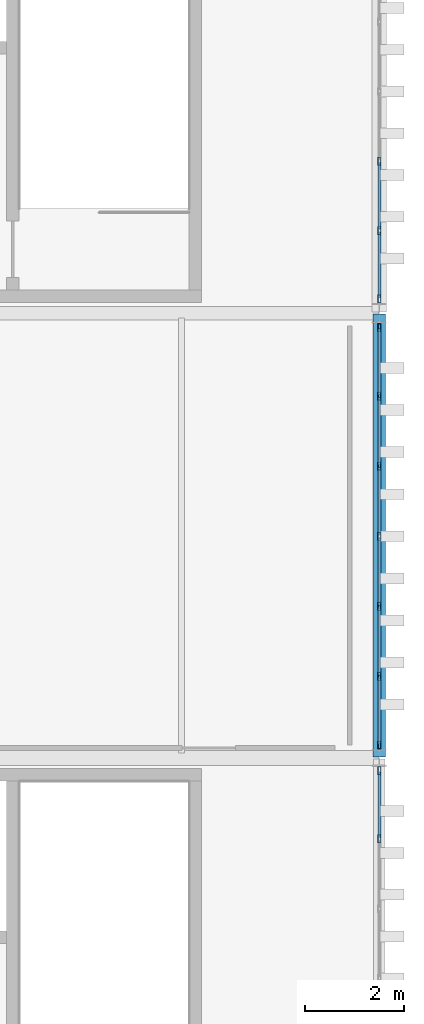
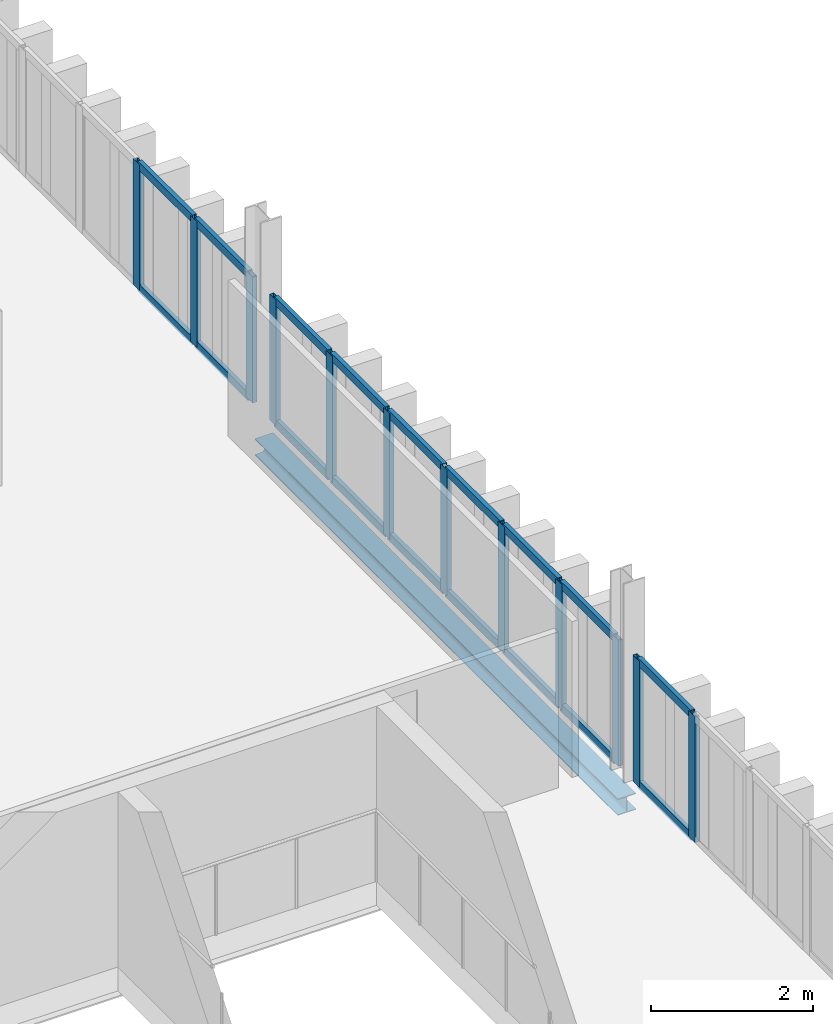
# One storey, part 44 of 58: 30 members, 1 beam, 3 elements without a shape of their own.
"""IFC4 building model written with IfcOpenShell, lengths in metres."""

import ifcopenshell
import ifcopenshell.guid

model = None  # the IFC model being written
_history = None  # IfcOwnerHistory: only IFC2X3 demands one
_inside = {}  # id of a spatial element -> (the spatial element, [elements in it])
_under = {}  # id of a project, library or spatial element -> (it, [spatial elements below it])
_declared = {}  # id of a project -> (the project, [libraries it declares])
_typed = {}  # id of a type object -> (the type object, [elements of that type])
_made_of = {}  # id of a material, layer set ... -> (it, [elements and type objects made of it])


def new_model(schema):
    """Start an empty IFC model of exactly this schema.

    Asked for "IFC4X3", IfcOpenShell would pick the latest addendum, in which some entities
    have other attributes; the version numbers below select the first issue.
    IFC2X3 requires an IfcOwnerHistory on every rooted entity: one is made here for all.
    """
    global model, _history
    if schema == "IFC4X3":
        model = ifcopenshell.file(schema_version=(4, 3, 0, 0))
    else:
        model = ifcopenshell.file(schema=schema)
    _inside.clear()
    _under.clear()
    _declared.clear()
    _typed.clear()
    _made_of.clear()
    _history = None
    if model.schema == "IFC2X3":
        org = make("IfcOrganization", Name="unknown")
        user = make(
            "IfcPersonAndOrganization",
            ThePerson=make("IfcPerson", FamilyName="unknown"),
            TheOrganization=org,
        )
        app = make(
            "IfcApplication",
            ApplicationDeveloper=org,
            Version="unknown",
            ApplicationFullName="unknown",
            ApplicationIdentifier="unknown",
        )
        _history = make(
            "IfcOwnerHistory",
            OwningUser=user,
            OwningApplication=app,
            ChangeAction="ADDED",
            CreationDate=0,
        )
    return model


def make(cls, **values):
    """One entity of the class cls with the attributes given. An attribute that is None is left unset."""
    return model.create_entity(
        cls, **{name: value for name, value in values.items() if value is not None}
    )


def rooted(cls, **values):
    """An entity with a GlobalId (a new one), such as an element, a storey or a relation."""
    return make(cls, GlobalId=ifcopenshell.guid.new(), OwnerHistory=_history, **values)


def si_unit(unit_type, name, prefix=None):
    """IfcSIUnit, for example si_unit("LENGTHUNIT", "METRE", prefix="MILLI")."""
    return make("IfcSIUnit", UnitType=unit_type, Prefix=prefix, Name=name)


def assignment(units):
    """IfcUnitAssignment: the units of a project."""
    return None if units is None else make("IfcUnitAssignment", Units=units)


def point(xyz):
    """IfcCartesianPoint."""
    return None if xyz is None else make("IfcCartesianPoint", Coordinates=xyz)


def direction(xyz):
    """IfcDirection."""
    return None if xyz is None else make("IfcDirection", DirectionRatios=xyz)


def frame(location, z_axis=None, x_axis=None):
    """IfcAxis2Placement3D, a coordinate frame: its origin and axes. An axis left out is left unset."""
    return make(
        "IfcAxis2Placement3D",
        Location=point(location),
        Axis=direction(z_axis),
        RefDirection=direction(x_axis),
    )


def frame_2d(location, x_axis=None):
    """IfcAxis2Placement2D, a coordinate frame in the plane: its origin and x axis."""
    return make(
        "IfcAxis2Placement2D", Location=point(location), RefDirection=direction(x_axis)
    )


def origin():
    """The frame at (0, 0, 0) with its axes left unset."""
    return frame((0.0, 0.0, 0.0))


def origin_2d():
    """The frame at (0, 0) in the plane with its x axis left unset."""
    return frame_2d((0.0, 0.0))


def place(relative_to, where):
    """IfcLocalPlacement: puts the frame where relative to a parent placement (None: the world)."""
    return make(
        "IfcLocalPlacement", PlacementRelTo=relative_to, RelativePlacement=where
    )


def context(
    kind, dimensions, precision=None, world=None, true_north=None, identifier=None
):
    """IfcGeometricRepresentationContext, for example the 3D "Model" context."""
    return make(
        "IfcGeometricRepresentationContext",
        ContextIdentifier=identifier,
        ContextType=kind,
        CoordinateSpaceDimension=dimensions,
        Precision=precision,
        WorldCoordinateSystem=world,
        TrueNorth=true_north,
    )


def subcontext(parent, identifier, kind, view, scale=None):
    """IfcGeometricRepresentationSubContext, for example "Body" below "Model"."""
    return make(
        "IfcGeometricRepresentationSubContext",
        ContextIdentifier=identifier,
        ContextType=kind,
        ParentContext=parent,
        TargetScale=scale,
        TargetView=view,
    )


def project(units=None, contexts=None):
    """IfcProject with its units and contexts."""
    return rooted(
        "IfcProject",
        Name="project",
        RepresentationContexts=contexts,
        UnitsInContext=assignment(units),
    )


def spatial(cls, under=None, at=None, **own):
    """A site, building, storey or space (cls), placed at a placement, below another one or the project."""
    s = rooted(cls, ObjectPlacement=at, **own)
    if under is not None:
        _under.setdefault(under.id(), (under, []))[1].append(s)
    return s


def profile(cls, at=None, kind="AREA", **sizes):
    """A parametric profile (cls). Its sizes go by their IFC names, for example OverallWidth=200.0."""
    return make(cls, ProfileType=kind, Position=at, **sizes)


def hollow_rectangle(**sizes):
    """IfcRectangleHollowProfileDef."""
    return profile("IfcRectangleHollowProfileDef", **sizes)


def i_section(**sizes):
    """IfcIShapeProfileDef."""
    return profile("IfcIShapeProfileDef", **sizes)


def extrude(swept, where, along, depth):
    """IfcExtrudedAreaSolid: the profile swept, set in the frame where, extruded along a direction by depth."""
    return make(
        "IfcExtrudedAreaSolid",
        SweptArea=swept,
        Position=where,
        ExtrudedDirection=direction(along),
        Depth=depth,
    )


def shape(context_of_items, identifier, shape_type, items):
    """IfcShapeRepresentation: the items that make up one representation, for example the "Body"."""
    return make(
        "IfcShapeRepresentation",
        ContextOfItems=context_of_items,
        RepresentationIdentifier=identifier,
        RepresentationType=shape_type,
        Items=items,
    )


def material(Name=None, Category=None):
    """IfcMaterial."""
    return make("IfcMaterial", Name=Name, Category=Category)


def layer(
    of_material, thickness, ventilated=None, Name=None, Category=None, Priority=None
):
    """IfcMaterialLayer: one layer of a wall or slab, of a material (None: an air gap)."""
    return make(
        "IfcMaterialLayer",
        Material=of_material,
        LayerThickness=thickness,
        IsVentilated=ventilated,
        Name=Name,
        Category=Category,
        Priority=Priority,
    )


def layer_set(layers, Name=None):
    """IfcMaterialLayerSet."""
    return make("IfcMaterialLayerSet", MaterialLayers=layers, LayerSetName=Name)


def material_profile(
    of_material, cross_section, Name=None, Category=None, Priority=None
):
    """IfcMaterialProfile: a cross section and its material."""
    return make(
        "IfcMaterialProfile",
        Name=Name,
        Material=of_material,
        Profile=cross_section,
        Priority=Priority,
        Category=Category,
    )


def profile_set(profiles, Name=None, composite=None):
    """IfcMaterialProfileSet."""
    return make(
        "IfcMaterialProfileSet",
        Name=Name,
        MaterialProfiles=profiles,
        CompositeProfile=composite,
    )


def made_of(thing, what):
    """Note that an element or type object is made of a material, layer set ...; save() writes the relation."""
    if what is not None:
        _made_of.setdefault(what.id(), (what, []))[1].append(thing)
    return thing


def type_object(cls, material=None, **own):
    """A type object (cls), such as IfcWallType, which elements share."""
    return made_of(rooted(cls, **own), material)


def element(
    cls,
    number,
    at=None,
    inside=None,
    cuts=None,
    type_object=None,
    material=None,
    context=None,
    identifier="Body",
    shape_type=None,
    held_by="IfcProductDefinitionShape",
    body=None,
    shapes=None,
    **own,
):
    """One element of the class cls, such as IfcWall. Its Tag is "e" and its number.

    at: its placement. inside: the storey or other place that contains it. cuts: it is an
    opening in that element (IfcRelVoidsElement). A single representation is given by context,
    identifier, shape_type and body (its items); several are given by shapes. held_by: the class
    of the entity that holds the representations. save() writes the other relations.
    """
    e = rooted(cls, Tag="e%d" % number, ObjectPlacement=at, **own)
    if body is not None:
        shapes = [shape(context, identifier, shape_type, body)]
    if shapes is not None:
        e.Representation = make(held_by, Representations=shapes)
    if inside is not None:
        _inside.setdefault(inside.id(), (inside, []))[1].append(e)
    if cuts is not None:
        rooted(
            "IfcRelVoidsElement", RelatingBuildingElement=cuts, RelatedOpeningElement=e
        )
    if type_object is not None:
        _typed.setdefault(type_object.id(), (type_object, []))[1].append(e)
    return made_of(e, material)


def aggregate(whole, parts):
    """IfcRelAggregates: a whole, such as a stair, and the parts it consists of."""
    return rooted("IfcRelAggregates", RelatingObject=whole, RelatedObjects=parts)


def save(model, path):
    """Write the relations noted so far, then the file.

    IfcRelAggregates (storeys below a building ...), IfcRelContainedInSpatialStructure (elements
    in a storey), IfcRelDefinesByType, IfcRelAssociatesMaterial and IfcRelDeclares: one each for
    every whole, place, type object, material and project.
    """
    for whole, parts in _under.values():
        aggregate(whole, parts)
    for where, things in _inside.values():
        rooted(
            "IfcRelContainedInSpatialStructure",
            RelatedElements=things,
            RelatingStructure=where,
        )
    for kind, things in _typed.values():
        rooted("IfcRelDefinesByType", RelatedObjects=things, RelatingType=kind)
    for what, things in _made_of.values():
        rooted("IfcRelAssociatesMaterial", RelatedObjects=things, RelatingMaterial=what)
    for by, libraries in _declared.values():
        rooted("IfcRelDeclares", RelatingContext=by, RelatedDefinitions=libraries)
    model.write(path)


model = new_model("IFC4")

# Units and contexts
model_context = context("Model", 3, precision=1e-05, world=origin(), true_north=direction((0.0, 1.0)))
body_context = subcontext(model_context, "Body", "Model", "MODEL_VIEW")
ifc_project = project(units=[si_unit("LENGTHUNIT", "METRE"), si_unit("AREAUNIT", "SQUARE_METRE"), si_unit("VOLUMEUNIT", "CUBIC_METRE"), si_unit("PLANEANGLEUNIT", "RADIAN"), si_unit("MASSUNIT", "GRAM", prefix="KILO")], contexts=[model_context])

# Site, building, storey
site_placement = place(None, origin())
site = spatial("IfcSite", under=ifc_project, at=site_placement, CompositionType="ELEMENT")
building_placement = place(site_placement, origin())
building = spatial("IfcBuilding", under=site, at=building_placement, Name="Barlavento Convention Centre", CompositionType="ELEMENT")
storey_placement = place(building_placement, frame((0.0, 0.0, 26.800048828125)))
storey = spatial("IfcBuildingStorey", under=building, at=storey_placement, Name="L05", CompositionType="ELEMENT", Elevation=26.800048828125)

# Curtain wall, members
ifc_material_1 = material(Name="Powder-coated aluminium and Low-E glass", Category="aluminium")
ifc_layer = layer(ifc_material_1, 0.18994140625)
ifc_layer_set = layer_set([ifc_layer], Name="ARC-CW-CONF-L05")
curtain_wall_type = type_object("IfcCurtainWallType", Name="ARC-CW-CONF-L05", PredefinedType="NOTDEFINED", material=ifc_layer_set)
curtain_wall_1_placement = place(storey_placement, origin())
curtain_wall_1 = element("IfcCurtainWall", 1, at=curtain_wall_1_placement, inside=storey, type_object=curtain_wall_type, Name="L05 unitised curtain wall CW10", PredefinedType="NOTDEFINED")
ifc_material_2 = material(Name="Powder-coated aluminium", Category="aluminium")
ifc_material_profile_1 = material_profile(ifc_material_2, hollow_rectangle(XDim=0.06005859375, YDim=0.159912109375, WallThickness=0.00390625, at=origin_2d()), Name="AL-MULL 60x160x4")
ifc_profile_set_1 = profile_set([ifc_material_profile_1], Name="Powder-coated aluminium")
member_type_1 = type_object("IfcMemberType", Name="ARC-CWM-60X160", PredefinedType="MULLION", material=ifc_profile_set_1)
member_1_placement = place(storey_placement, frame((192.0, 61.360107421875, 0.0), z_axis=(0.0, 0.0, 1.0), x_axis=(-1.0, 0.0, 0.0)))
member_1 = element("IfcMember", 2, at=member_1_placement, type_object=member_type_1, Name="CW10 mullion 6", PredefinedType="MULLION", context=body_context, shape_type="SweptSolid", body=[
    extrude(hollow_rectangle(XDim=0.06005859375, YDim=0.159912109375, WallThickness=0.00390625, at=origin_2d()), origin(), (0.0, 0.0, 1.0), 1.89990234375),
])
member_2_placement = place(storey_placement, frame((192.0, 62.739990234375, 0.0), z_axis=(0.0, 0.0, 1.0), x_axis=(-1.0, 0.0, 0.0)))
member_2 = element("IfcMember", 3, at=member_2_placement, type_object=member_type_1, Name="CW10 mullion 7", PredefinedType="MULLION", context=body_context, shape_type="SweptSolid", body=[
    extrude(hollow_rectangle(XDim=0.06005859375, YDim=0.159912109375, WallThickness=0.00390625, at=origin_2d()), origin(), (0.0, 0.0, 1.0), 1.89990234375),
])

curtain_wall_2_placement = place(storey_placement, origin())
curtain_wall_2 = element("IfcCurtainWall", 4, at=curtain_wall_2_placement, inside=storey, type_object=curtain_wall_type, Name="L05 unitised curtain wall CW10", PredefinedType="NOTDEFINED")
member_3_placement = place(storey_placement, frame((192.0, 63.260009765625, 0.0), z_axis=(0.0, 0.0, 1.0), x_axis=(-1.0, 0.0, 0.0)))
member_3 = element("IfcMember", 5, at=member_3_placement, type_object=member_type_1, Name="CW10 mullion 1", PredefinedType="MULLION", context=body_context, shape_type="SweptSolid", body=[
    extrude(hollow_rectangle(XDim=0.06005859375, YDim=0.159912109375, WallThickness=0.00390625, at=origin_2d()), origin(), (0.0, 0.0, 1.0), 1.89990234375),
])
member_4_placement = place(storey_placement, frame((192.0, 64.6484375, 0.0), z_axis=(0.0, 0.0, 1.0), x_axis=(-1.0, 0.0, 0.0)))
member_4 = element("IfcMember", 6, at=member_4_placement, type_object=member_type_1, Name="CW10 mullion 2", PredefinedType="MULLION", context=body_context, shape_type="SweptSolid", body=[
    extrude(hollow_rectangle(XDim=0.06005859375, YDim=0.159912109375, WallThickness=0.00390625, at=origin_2d()), origin(), (0.0, 0.0, 1.0), 1.89990234375),
])
member_5_placement = place(storey_placement, frame((192.0, 66.066650390625, 0.0), z_axis=(0.0, 0.0, 1.0), x_axis=(-1.0, 0.0, 0.0)))
member_5 = element("IfcMember", 7, at=member_5_placement, type_object=member_type_1, Name="CW10 mullion 3", PredefinedType="MULLION", context=body_context, shape_type="SweptSolid", body=[
    extrude(hollow_rectangle(XDim=0.06005859375, YDim=0.159912109375, WallThickness=0.00390625, at=origin_2d()), origin(), (0.0, 0.0, 1.0), 1.89990234375),
])
member_6_placement = place(storey_placement, frame((192.0, 67.485107421875, 0.0), z_axis=(0.0, 0.0, 1.0), x_axis=(-1.0, 0.0, 0.0)))
member_6 = element("IfcMember", 8, at=member_6_placement, type_object=member_type_1, Name="CW10 mullion 4", PredefinedType="MULLION", context=body_context, shape_type="SweptSolid", body=[
    extrude(hollow_rectangle(XDim=0.06005859375, YDim=0.159912109375, WallThickness=0.00390625, at=origin_2d()), origin(), (0.0, 0.0, 1.0), 1.89990234375),
])
member_7_placement = place(storey_placement, frame((192.0, 68.9033203125, 0.0), z_axis=(0.0, 0.0, 1.0), x_axis=(-1.0, 0.0, 0.0)))
member_7 = element("IfcMember", 9, at=member_7_placement, type_object=member_type_1, Name="CW10 mullion 5", PredefinedType="MULLION", context=body_context, shape_type="SweptSolid", body=[
    extrude(hollow_rectangle(XDim=0.06005859375, YDim=0.159912109375, WallThickness=0.00390625, at=origin_2d()), origin(), (0.0, 0.0, 1.0), 1.89990234375),
])
member_8_placement = place(storey_placement, frame((192.0, 70.32177734375, 0.0), z_axis=(0.0, 0.0, 1.0), x_axis=(-1.0, 0.0, 0.0)))
member_8 = element("IfcMember", 10, at=member_8_placement, type_object=member_type_1, Name="CW10 mullion 6", PredefinedType="MULLION", context=body_context, shape_type="SweptSolid", body=[
    extrude(hollow_rectangle(XDim=0.06005859375, YDim=0.159912109375, WallThickness=0.00390625, at=origin_2d()), origin(), (0.0, 0.0, 1.0), 1.89990234375),
])
member_9_placement = place(storey_placement, frame((192.0, 71.7099609375, 0.0), z_axis=(0.0, 0.0, 1.0), x_axis=(-1.0, 0.0, 0.0)))
member_9 = element("IfcMember", 11, at=member_9_placement, type_object=member_type_1, Name="CW10 mullion 7", PredefinedType="MULLION", context=body_context, shape_type="SweptSolid", body=[
    extrude(hollow_rectangle(XDim=0.06005859375, YDim=0.159912109375, WallThickness=0.00390625, at=origin_2d()), origin(), (0.0, 0.0, 1.0), 1.89990234375),
])

curtain_wall_3_placement = place(storey_placement, origin())
curtain_wall_3 = element("IfcCurtainWall", 12, at=curtain_wall_3_placement, inside=storey, type_object=curtain_wall_type, Name="L05 unitised curtain wall CW10", PredefinedType="NOTDEFINED")
member_10_placement = place(storey_placement, frame((192.0, 72.2900390625, 0.0), z_axis=(0.0, 0.0, 1.0), x_axis=(-1.0, 0.0, 0.0)))
member_10 = element("IfcMember", 13, at=member_10_placement, type_object=member_type_1, Name="CW10 mullion 1", PredefinedType="MULLION", context=body_context, shape_type="SweptSolid", body=[
    extrude(hollow_rectangle(XDim=0.06005859375, YDim=0.159912109375, WallThickness=0.00390625, at=origin_2d()), origin(), (0.0, 0.0, 1.0), 1.89990234375),
])
member_11_placement = place(storey_placement, frame((192.0, 73.669189453125, 0.0), z_axis=(0.0, 0.0, 1.0), x_axis=(-1.0, 0.0, 0.0)))
member_11 = element("IfcMember", 14, at=member_11_placement, type_object=member_type_1, Name="CW10 mullion 2", PredefinedType="MULLION", context=body_context, shape_type="SweptSolid", body=[
    extrude(hollow_rectangle(XDim=0.06005859375, YDim=0.159912109375, WallThickness=0.00390625, at=origin_2d()), origin(), (0.0, 0.0, 1.0), 1.89990234375),
])
member_12_placement = place(storey_placement, frame((192.0, 75.078369140625, 0.0), z_axis=(0.0, 0.0, 1.0), x_axis=(-1.0, 0.0, 0.0)))
member_12 = element("IfcMember", 15, at=member_12_placement, type_object=member_type_1, Name="CW10 mullion 3", PredefinedType="MULLION", context=body_context, shape_type="SweptSolid", body=[
    extrude(hollow_rectangle(XDim=0.06005859375, YDim=0.159912109375, WallThickness=0.00390625, at=origin_2d()), origin(), (0.0, 0.0, 1.0), 1.89990234375),
])

# Member
ifc_material_profile_2 = material_profile(ifc_material_2, hollow_rectangle(XDim=0.06005859375, YDim=0.1201171875, WallThickness=0.00390625, at=origin_2d()), Name="AL-TRAN 60x120x4")
ifc_profile_set_2 = profile_set([ifc_material_profile_2], Name="Powder-coated aluminium")
member_type_2 = type_object("IfcMemberType", Name="ARC-CWT-60X120", PredefinedType="USERDEFINED", material=ifc_profile_set_2)
member_13_placement = place(storey_placement, frame((192.0, 61.389892578125, 0.030029296875), z_axis=(0.0, 1.0, 0.0), x_axis=(-1.0, 0.0, 0.0)))
member_13 = element("IfcMember", 16, at=member_13_placement, type_object=member_type_2, Name="CW10 transom 6.1", ObjectType="TRANSOM", PredefinedType="USERDEFINED", context=body_context, shape_type="SweptSolid", body=[
    extrude(hollow_rectangle(XDim=0.06005859375, YDim=0.1201171875, WallThickness=0.00390625, at=origin_2d()), origin(), (0.0, 0.0, 1.0), 1.320068359375),
])

member_14_placement = place(storey_placement, frame((192.0, 61.389892578125, 1.869873046875), z_axis=(0.0, 1.0, 0.0), x_axis=(-1.0, 0.0, 0.0)))
member_14 = element("IfcMember", 17, at=member_14_placement, type_object=member_type_2, Name="CW10 transom 6.2", ObjectType="TRANSOM", PredefinedType="USERDEFINED", context=body_context, shape_type="SweptSolid", body=[
    extrude(hollow_rectangle(XDim=0.06005859375, YDim=0.1201171875, WallThickness=0.00390625, at=origin_2d()), origin(), (0.0, 0.0, 1.0), 1.320068359375),
])

aggregate(curtain_wall_1, [member_1, member_2, member_13, member_14])

member_15_placement = place(storey_placement, frame((192.0, 63.2900390625, 0.030029296875), z_axis=(0.0, 1.0, 0.0), x_axis=(-1.0, 0.0, 0.0)))
member_15 = element("IfcMember", 18, at=member_15_placement, type_object=member_type_2, Name="CW10 transom 1.1", ObjectType="TRANSOM", PredefinedType="USERDEFINED", context=body_context, shape_type="SweptSolid", body=[
    extrude(hollow_rectangle(XDim=0.06005859375, YDim=0.1201171875, WallThickness=0.00390625, at=origin_2d()), origin(), (0.0, 0.0, 1.0), 1.328369140625),
])

member_16_placement = place(storey_placement, frame((192.0, 63.2900390625, 1.869873046875), z_axis=(0.0, 1.0, 0.0), x_axis=(-1.0, 0.0, 0.0)))
member_16 = element("IfcMember", 19, at=member_16_placement, type_object=member_type_2, Name="CW10 transom 1.2", ObjectType="TRANSOM", PredefinedType="USERDEFINED", context=body_context, shape_type="SweptSolid", body=[
    extrude(hollow_rectangle(XDim=0.06005859375, YDim=0.1201171875, WallThickness=0.00390625, at=origin_2d()), origin(), (0.0, 0.0, 1.0), 1.328369140625),
])

member_17_placement = place(storey_placement, frame((192.0, 64.67822265625, 0.030029296875), z_axis=(0.0, 1.0, 0.0), x_axis=(-1.0, 0.0, 0.0)))
member_17 = element("IfcMember", 20, at=member_17_placement, type_object=member_type_2, Name="CW10 transom 2.1", ObjectType="TRANSOM", PredefinedType="USERDEFINED", context=body_context, shape_type="SweptSolid", body=[
    extrude(hollow_rectangle(XDim=0.06005859375, YDim=0.1201171875, WallThickness=0.00390625, at=origin_2d()), origin(), (0.0, 0.0, 1.0), 1.3583984375),
])

member_18_placement = place(storey_placement, frame((192.0, 64.67822265625, 1.869873046875), z_axis=(0.0, 1.0, 0.0), x_axis=(-1.0, 0.0, 0.0)))
member_18 = element("IfcMember", 21, at=member_18_placement, type_object=member_type_2, Name="CW10 transom 2.2", ObjectType="TRANSOM", PredefinedType="USERDEFINED", context=body_context, shape_type="SweptSolid", body=[
    extrude(hollow_rectangle(XDim=0.06005859375, YDim=0.1201171875, WallThickness=0.00390625, at=origin_2d()), origin(), (0.0, 0.0, 1.0), 1.3583984375),
])

member_19_placement = place(storey_placement, frame((192.0, 66.0966796875, 0.030029296875), z_axis=(0.0, 1.0, 0.0), x_axis=(-1.0, 0.0, 0.0)))
member_19 = element("IfcMember", 22, at=member_19_placement, type_object=member_type_2, Name="CW10 transom 3.1", ObjectType="TRANSOM", PredefinedType="USERDEFINED", context=body_context, shape_type="SweptSolid", body=[
    extrude(hollow_rectangle(XDim=0.06005859375, YDim=0.1201171875, WallThickness=0.00390625, at=origin_2d()), origin(), (0.0, 0.0, 1.0), 1.3583984375),
])

member_20_placement = place(storey_placement, frame((192.0, 66.0966796875, 1.869873046875), z_axis=(0.0, 1.0, 0.0), x_axis=(-1.0, 0.0, 0.0)))
member_20 = element("IfcMember", 23, at=member_20_placement, type_object=member_type_2, Name="CW10 transom 3.2", ObjectType="TRANSOM", PredefinedType="USERDEFINED", context=body_context, shape_type="SweptSolid", body=[
    extrude(hollow_rectangle(XDim=0.06005859375, YDim=0.1201171875, WallThickness=0.00390625, at=origin_2d()), origin(), (0.0, 0.0, 1.0), 1.3583984375),
])

member_21_placement = place(storey_placement, frame((192.0, 67.514892578125, 0.030029296875), z_axis=(0.0, 1.0, 0.0), x_axis=(-1.0, 0.0, 0.0)))
member_21 = element("IfcMember", 24, at=member_21_placement, type_object=member_type_2, Name="CW10 transom 4.1", ObjectType="TRANSOM", PredefinedType="USERDEFINED", context=body_context, shape_type="SweptSolid", body=[
    extrude(hollow_rectangle(XDim=0.06005859375, YDim=0.1201171875, WallThickness=0.00390625, at=origin_2d()), origin(), (0.0, 0.0, 1.0), 1.3583984375),
])

member_22_placement = place(storey_placement, frame((192.0, 67.514892578125, 1.869873046875), z_axis=(0.0, 1.0, 0.0), x_axis=(-1.0, 0.0, 0.0)))
member_22 = element("IfcMember", 25, at=member_22_placement, type_object=member_type_2, Name="CW10 transom 4.2", ObjectType="TRANSOM", PredefinedType="USERDEFINED", context=body_context, shape_type="SweptSolid", body=[
    extrude(hollow_rectangle(XDim=0.06005859375, YDim=0.1201171875, WallThickness=0.00390625, at=origin_2d()), origin(), (0.0, 0.0, 1.0), 1.3583984375),
])

member_23_placement = place(storey_placement, frame((192.0, 68.933349609375, 0.030029296875), z_axis=(0.0, 1.0, 0.0), x_axis=(-1.0, 0.0, 0.0)))
member_23 = element("IfcMember", 26, at=member_23_placement, type_object=member_type_2, Name="CW10 transom 5.1", ObjectType="TRANSOM", PredefinedType="USERDEFINED", context=body_context, shape_type="SweptSolid", body=[
    extrude(hollow_rectangle(XDim=0.06005859375, YDim=0.1201171875, WallThickness=0.00390625, at=origin_2d()), origin(), (0.0, 0.0, 1.0), 1.3583984375),
])

member_24_placement = place(storey_placement, frame((192.0, 68.933349609375, 1.869873046875), z_axis=(0.0, 1.0, 0.0), x_axis=(-1.0, 0.0, 0.0)))
member_24 = element("IfcMember", 27, at=member_24_placement, type_object=member_type_2, Name="CW10 transom 5.2", ObjectType="TRANSOM", PredefinedType="USERDEFINED", context=body_context, shape_type="SweptSolid", body=[
    extrude(hollow_rectangle(XDim=0.06005859375, YDim=0.1201171875, WallThickness=0.00390625, at=origin_2d()), origin(), (0.0, 0.0, 1.0), 1.3583984375),
])

member_25_placement = place(storey_placement, frame((192.0, 70.3515625, 0.030029296875), z_axis=(0.0, 1.0, 0.0), x_axis=(-1.0, 0.0, 0.0)))
member_25 = element("IfcMember", 28, at=member_25_placement, type_object=member_type_2, Name="CW10 transom 6.1", ObjectType="TRANSOM", PredefinedType="USERDEFINED", context=body_context, shape_type="SweptSolid", body=[
    extrude(hollow_rectangle(XDim=0.06005859375, YDim=0.1201171875, WallThickness=0.00390625, at=origin_2d()), origin(), (0.0, 0.0, 1.0), 1.328369140625),
])

member_26_placement = place(storey_placement, frame((192.0, 70.3515625, 1.869873046875), z_axis=(0.0, 1.0, 0.0), x_axis=(-1.0, 0.0, 0.0)))
member_26 = element("IfcMember", 29, at=member_26_placement, type_object=member_type_2, Name="CW10 transom 6.2", ObjectType="TRANSOM", PredefinedType="USERDEFINED", context=body_context, shape_type="SweptSolid", body=[
    extrude(hollow_rectangle(XDim=0.06005859375, YDim=0.1201171875, WallThickness=0.00390625, at=origin_2d()), origin(), (0.0, 0.0, 1.0), 1.328369140625),
])

aggregate(curtain_wall_2, [member_3, member_4, member_5, member_6, member_7, member_8, member_9, member_15, member_16, member_17, member_18, member_19, member_20, member_21, member_22, member_23, member_24, member_25, member_26])

member_27_placement = place(storey_placement, frame((192.0, 72.320068359375, 0.030029296875), z_axis=(0.0, 1.0, 0.0), x_axis=(-1.0, 0.0, 0.0)))
member_27 = element("IfcMember", 30, at=member_27_placement, type_object=member_type_2, Name="CW10 transom 1.1", ObjectType="TRANSOM", PredefinedType="USERDEFINED", context=body_context, shape_type="SweptSolid", body=[
    extrude(hollow_rectangle(XDim=0.06005859375, YDim=0.1201171875, WallThickness=0.00390625, at=origin_2d()), origin(), (0.0, 0.0, 1.0), 1.319091796875),
])

member_28_placement = place(storey_placement, frame((192.0, 72.320068359375, 1.869873046875), z_axis=(0.0, 1.0, 0.0), x_axis=(-1.0, 0.0, 0.0)))
member_28 = element("IfcMember", 31, at=member_28_placement, type_object=member_type_2, Name="CW10 transom 1.2", ObjectType="TRANSOM", PredefinedType="USERDEFINED", context=body_context, shape_type="SweptSolid", body=[
    extrude(hollow_rectangle(XDim=0.06005859375, YDim=0.1201171875, WallThickness=0.00390625, at=origin_2d()), origin(), (0.0, 0.0, 1.0), 1.319091796875),
])

member_29_placement = place(storey_placement, frame((192.0, 73.69921875, 0.030029296875), z_axis=(0.0, 1.0, 0.0), x_axis=(-1.0, 0.0, 0.0)))
member_29 = element("IfcMember", 32, at=member_29_placement, type_object=member_type_2, Name="CW10 transom 2.1", ObjectType="TRANSOM", PredefinedType="USERDEFINED", context=body_context, shape_type="SweptSolid", body=[
    extrude(hollow_rectangle(XDim=0.06005859375, YDim=0.1201171875, WallThickness=0.00390625, at=origin_2d()), origin(), (0.0, 0.0, 1.0), 1.34912109375),
])

member_30_placement = place(storey_placement, frame((192.0, 73.69921875, 1.869873046875), z_axis=(0.0, 1.0, 0.0), x_axis=(-1.0, 0.0, 0.0)))
member_30 = element("IfcMember", 33, at=member_30_placement, type_object=member_type_2, Name="CW10 transom 2.2", ObjectType="TRANSOM", PredefinedType="USERDEFINED", context=body_context, shape_type="SweptSolid", body=[
    extrude(hollow_rectangle(XDim=0.06005859375, YDim=0.1201171875, WallThickness=0.00390625, at=origin_2d()), origin(), (0.0, 0.0, 1.0), 1.34912109375),
])

aggregate(curtain_wall_3, [member_10, member_11, member_12, member_27, member_28, member_29, member_30])

# Beam
ifc_material_3 = material(Name="Steel S355", Category="steel")
ifc_material_profile_3 = material_profile(ifc_material_3, i_section(OverallWidth=0.260009765625, OverallDepth=0.25, WebThickness=0.007568359375, FlangeThickness=0.012451171875, FilletRadius=0.02392578125, at=origin_2d()), Name="HEA 260")
ifc_profile_set_3 = profile_set([ifc_material_profile_3], Name="Steel S355")
beam_type = type_object("IfcBeamType", Name="STR-BM-SPN-HEA260", PredefinedType="SPANDREL", material=ifc_profile_set_3)
beam_placement = place(storey_placement, frame((192.0, 63.02001953125, -0.485107421875), z_axis=(0.0, 1.0, 0.0), x_axis=(-1.0, 0.0, 0.0)))
element("IfcBeam", 34, at=beam_placement, inside=storey, type_object=beam_type, Name="L05 grid girder SP04", PredefinedType="SPANDREL", context=body_context, shape_type="SweptSolid", body=[
    extrude(i_section(OverallWidth=0.260009765625, OverallDepth=0.25, WebThickness=0.007568359375, FlangeThickness=0.012451171875, FilletRadius=0.02392578125, at=origin_2d()), origin(), (0.0, 0.0, 1.0), 8.9599609375),
])

save(model, "model.ifc")
